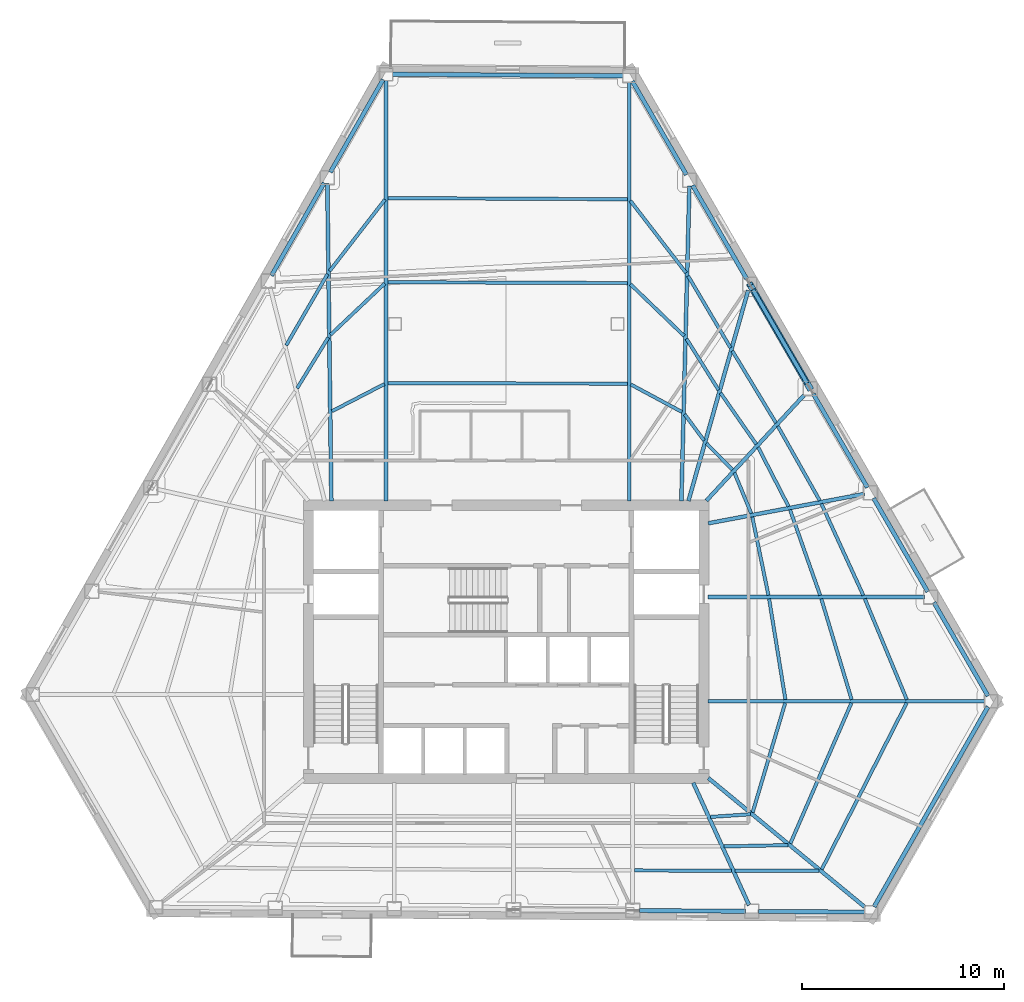
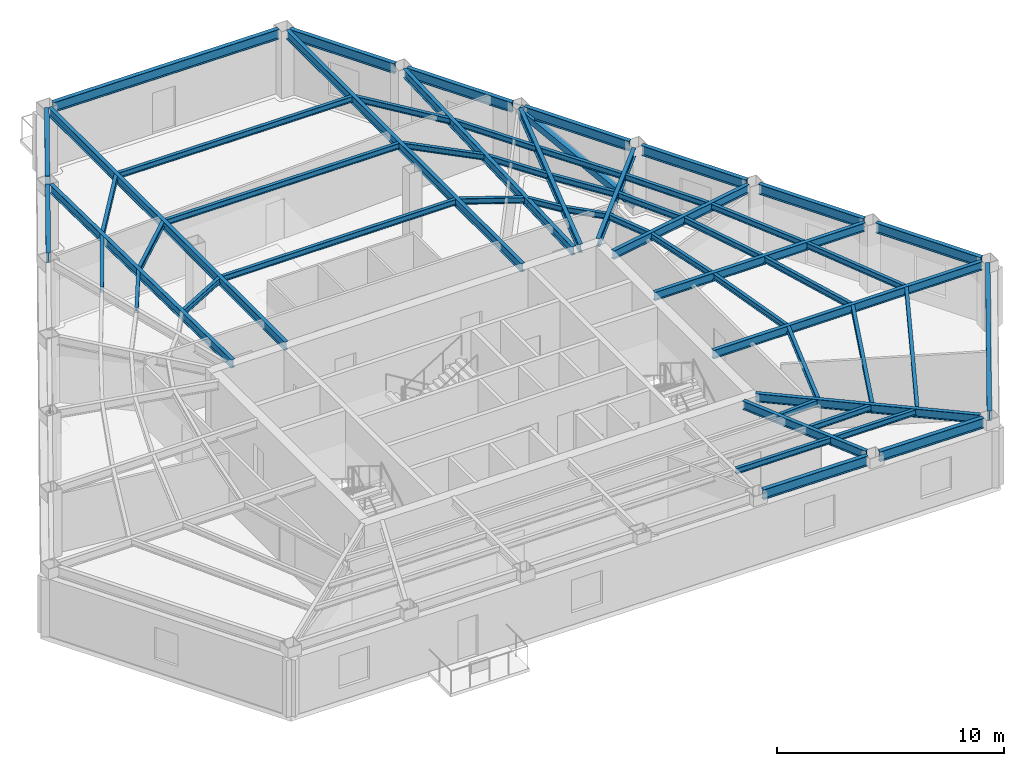
# One storey, part 2 of 9: 56 beams, 1 member.
"""IFC4 building model written with IfcOpenShell, lengths in metres."""

import ifcopenshell
import ifcopenshell.guid

model = None  # the IFC model being written
_history = None  # IfcOwnerHistory: only IFC2X3 demands one
_inside = {}  # id of a spatial element -> (the spatial element, [elements in it])
_under = {}  # id of a project, library or spatial element -> (it, [spatial elements below it])
_declared = {}  # id of a project -> (the project, [libraries it declares])
_typed = {}  # id of a type object -> (the type object, [elements of that type])
_made_of = {}  # id of a material, layer set ... -> (it, [elements and type objects made of it])


def new_model(schema):
    """Start an empty IFC model of exactly this schema.

    Asked for "IFC4X3", IfcOpenShell would pick the latest addendum, in which some entities
    have other attributes; the version numbers below select the first issue.
    IFC2X3 requires an IfcOwnerHistory on every rooted entity: one is made here for all.
    """
    global model, _history
    if schema == "IFC4X3":
        model = ifcopenshell.file(schema_version=(4, 3, 0, 0))
    else:
        model = ifcopenshell.file(schema=schema)
    _inside.clear()
    _under.clear()
    _declared.clear()
    _typed.clear()
    _made_of.clear()
    _history = None
    if model.schema == "IFC2X3":
        org = make("IfcOrganization", Name="unknown")
        user = make(
            "IfcPersonAndOrganization",
            ThePerson=make("IfcPerson", FamilyName="unknown"),
            TheOrganization=org,
        )
        app = make(
            "IfcApplication",
            ApplicationDeveloper=org,
            Version="unknown",
            ApplicationFullName="unknown",
            ApplicationIdentifier="unknown",
        )
        _history = make(
            "IfcOwnerHistory",
            OwningUser=user,
            OwningApplication=app,
            ChangeAction="ADDED",
            CreationDate=0,
        )
    return model


def make(cls, **values):
    """One entity of the class cls with the attributes given. An attribute that is None is left unset."""
    return model.create_entity(
        cls, **{name: value for name, value in values.items() if value is not None}
    )


def rooted(cls, **values):
    """An entity with a GlobalId (a new one), such as an element, a storey or a relation."""
    return make(cls, GlobalId=ifcopenshell.guid.new(), OwnerHistory=_history, **values)


def si_unit(unit_type, name, prefix=None):
    """IfcSIUnit, for example si_unit("LENGTHUNIT", "METRE", prefix="MILLI")."""
    return make("IfcSIUnit", UnitType=unit_type, Prefix=prefix, Name=name)


def assignment(units):
    """IfcUnitAssignment: the units of a project."""
    return None if units is None else make("IfcUnitAssignment", Units=units)


def point(xyz):
    """IfcCartesianPoint."""
    return None if xyz is None else make("IfcCartesianPoint", Coordinates=xyz)


def direction(xyz):
    """IfcDirection."""
    return None if xyz is None else make("IfcDirection", DirectionRatios=xyz)


def frame(location, z_axis=None, x_axis=None):
    """IfcAxis2Placement3D, a coordinate frame: its origin and axes. An axis left out is left unset."""
    return make(
        "IfcAxis2Placement3D",
        Location=point(location),
        Axis=direction(z_axis),
        RefDirection=direction(x_axis),
    )


def frame_2d(location, x_axis=None):
    """IfcAxis2Placement2D, a coordinate frame in the plane: its origin and x axis."""
    return make(
        "IfcAxis2Placement2D", Location=point(location), RefDirection=direction(x_axis)
    )


def origin():
    """The frame at (0, 0, 0) with its axes left unset."""
    return frame((0.0, 0.0, 0.0))


def origin_2d():
    """The frame at (0, 0) in the plane with its x axis left unset."""
    return frame_2d((0.0, 0.0))


def place(relative_to, where):
    """IfcLocalPlacement: puts the frame where relative to a parent placement (None: the world)."""
    return make(
        "IfcLocalPlacement", PlacementRelTo=relative_to, RelativePlacement=where
    )


def context(
    kind, dimensions, precision=None, world=None, true_north=None, identifier=None
):
    """IfcGeometricRepresentationContext, for example the 3D "Model" context."""
    return make(
        "IfcGeometricRepresentationContext",
        ContextIdentifier=identifier,
        ContextType=kind,
        CoordinateSpaceDimension=dimensions,
        Precision=precision,
        WorldCoordinateSystem=world,
        TrueNorth=true_north,
    )


def subcontext(parent, identifier, kind, view, scale=None):
    """IfcGeometricRepresentationSubContext, for example "Body" below "Model"."""
    return make(
        "IfcGeometricRepresentationSubContext",
        ContextIdentifier=identifier,
        ContextType=kind,
        ParentContext=parent,
        TargetScale=scale,
        TargetView=view,
    )


def project(units=None, contexts=None):
    """IfcProject with its units and contexts."""
    return rooted(
        "IfcProject",
        Name="project",
        RepresentationContexts=contexts,
        UnitsInContext=assignment(units),
    )


def spatial(cls, under=None, at=None, **own):
    """A site, building, storey or space (cls), placed at a placement, below another one or the project."""
    s = rooted(cls, ObjectPlacement=at, **own)
    if under is not None:
        _under.setdefault(under.id(), (under, []))[1].append(s)
    return s


def profile(cls, at=None, kind="AREA", **sizes):
    """A parametric profile (cls). Its sizes go by their IFC names, for example OverallWidth=200.0."""
    return make(cls, ProfileType=kind, Position=at, **sizes)


def hollow_rectangle(**sizes):
    """IfcRectangleHollowProfileDef."""
    return profile("IfcRectangleHollowProfileDef", **sizes)


def i_section(**sizes):
    """IfcIShapeProfileDef."""
    return profile("IfcIShapeProfileDef", **sizes)


def extrude(swept, where, along, depth):
    """IfcExtrudedAreaSolid: the profile swept, set in the frame where, extruded along a direction by depth."""
    return make(
        "IfcExtrudedAreaSolid",
        SweptArea=swept,
        Position=where,
        ExtrudedDirection=direction(along),
        Depth=depth,
    )


def shape(context_of_items, identifier, shape_type, items):
    """IfcShapeRepresentation: the items that make up one representation, for example the "Body"."""
    return make(
        "IfcShapeRepresentation",
        ContextOfItems=context_of_items,
        RepresentationIdentifier=identifier,
        RepresentationType=shape_type,
        Items=items,
    )


def material(Name=None, Category=None):
    """IfcMaterial."""
    return make("IfcMaterial", Name=Name, Category=Category)


def material_profile(
    of_material, cross_section, Name=None, Category=None, Priority=None
):
    """IfcMaterialProfile: a cross section and its material."""
    return make(
        "IfcMaterialProfile",
        Name=Name,
        Material=of_material,
        Profile=cross_section,
        Priority=Priority,
        Category=Category,
    )


def profile_set(profiles, Name=None, composite=None):
    """IfcMaterialProfileSet."""
    return make(
        "IfcMaterialProfileSet",
        Name=Name,
        MaterialProfiles=profiles,
        CompositeProfile=composite,
    )


def made_of(thing, what):
    """Note that an element or type object is made of a material, layer set ...; save() writes the relation."""
    if what is not None:
        _made_of.setdefault(what.id(), (what, []))[1].append(thing)
    return thing


def type_object(cls, material=None, **own):
    """A type object (cls), such as IfcWallType, which elements share."""
    return made_of(rooted(cls, **own), material)


def element(
    cls,
    number,
    at=None,
    inside=None,
    cuts=None,
    type_object=None,
    material=None,
    context=None,
    identifier="Body",
    shape_type=None,
    held_by="IfcProductDefinitionShape",
    body=None,
    shapes=None,
    **own,
):
    """One element of the class cls, such as IfcWall. Its Tag is "e" and its number.

    at: its placement. inside: the storey or other place that contains it. cuts: it is an
    opening in that element (IfcRelVoidsElement). A single representation is given by context,
    identifier, shape_type and body (its items); several are given by shapes. held_by: the class
    of the entity that holds the representations. save() writes the other relations.
    """
    e = rooted(cls, Tag="e%d" % number, ObjectPlacement=at, **own)
    if body is not None:
        shapes = [shape(context, identifier, shape_type, body)]
    if shapes is not None:
        e.Representation = make(held_by, Representations=shapes)
    if inside is not None:
        _inside.setdefault(inside.id(), (inside, []))[1].append(e)
    if cuts is not None:
        rooted(
            "IfcRelVoidsElement", RelatingBuildingElement=cuts, RelatedOpeningElement=e
        )
    if type_object is not None:
        _typed.setdefault(type_object.id(), (type_object, []))[1].append(e)
    return made_of(e, material)


def aggregate(whole, parts):
    """IfcRelAggregates: a whole, such as a stair, and the parts it consists of."""
    return rooted("IfcRelAggregates", RelatingObject=whole, RelatedObjects=parts)


def save(model, path):
    """Write the relations noted so far, then the file.

    IfcRelAggregates (storeys below a building ...), IfcRelContainedInSpatialStructure (elements
    in a storey), IfcRelDefinesByType, IfcRelAssociatesMaterial and IfcRelDeclares: one each for
    every whole, place, type object, material and project.
    """
    for whole, parts in _under.values():
        aggregate(whole, parts)
    for where, things in _inside.values():
        rooted(
            "IfcRelContainedInSpatialStructure",
            RelatedElements=things,
            RelatingStructure=where,
        )
    for kind, things in _typed.values():
        rooted("IfcRelDefinesByType", RelatedObjects=things, RelatingType=kind)
    for what, things in _made_of.values():
        rooted("IfcRelAssociatesMaterial", RelatedObjects=things, RelatingMaterial=what)
    for by, libraries in _declared.values():
        rooted("IfcRelDeclares", RelatingContext=by, RelatedDefinitions=libraries)
    model.write(path)


model = new_model("IFC4")

# Units and contexts
model_context = context("Model", 3, precision=1e-05, world=origin(), true_north=direction((0.0, 1.0)))
body_context = subcontext(model_context, "Body", "Model", "MODEL_VIEW")
ifc_project = project(units=[si_unit("LENGTHUNIT", "METRE"), si_unit("AREAUNIT", "SQUARE_METRE"), si_unit("VOLUMEUNIT", "CUBIC_METRE"), si_unit("PLANEANGLEUNIT", "RADIAN"), si_unit("MASSUNIT", "GRAM", prefix="KILO")], contexts=[model_context])

# Site, building, storey
site_placement = place(None, origin())
site = spatial("IfcSite", under=ifc_project, at=site_placement, CompositionType="ELEMENT")
building_placement = place(site_placement, origin())
building = spatial("IfcBuilding", under=site, at=building_placement, Name="Kavelnor Concourse Tower", CompositionType="ELEMENT")
storey_placement = place(building_placement, frame((0.0, 0.0, 112.449951171875)))
storey = spatial("IfcBuildingStorey", under=building, at=storey_placement, Name="L28", CompositionType="ELEMENT", Elevation=112.449951171875)

# Beams
ifc_material = material(Name="Steel Grade 350", Category="steel")
ifc_material_profile_1 = material_profile(ifc_material, i_section(OverallWidth=0.166015625, OverallDepth=0.306884765625, WebThickness=0.006591796875, FlangeThickness=0.01171875, at=origin_2d()), Name="310UB46")
ifc_profile_set_1 = profile_set([ifc_material_profile_1], Name="Steel Grade 350")
beam_type_1 = type_object("IfcBeamType", Name="BM-JOIST-310", PredefinedType="JOIST", material=ifc_profile_set_1)
beam_1_placement = place(storey_placement, frame((44.33837890625, 4.80859375, 3.446533203125), z_axis=(0.999984911688, -0.005493304703, 0.0), x_axis=(0.005493304703, 0.999984911688, 0.0)))
element("IfcBeam", 1, at=beam_1_placement, inside=storey, type_object=beam_type_1, Name="L28 Secondary Composite Joist 06-3", PredefinedType="JOIST", context=body_context, shape_type="SweptSolid", body=[
    extrude(i_section(OverallWidth=0.166015625, OverallDepth=0.306884765625, WebThickness=0.006591796875, FlangeThickness=0.01171875, at=origin_2d()), origin(), (0.0, 0.0, 1.0), 4.7998046875),
])
beam_2_placement = place(storey_placement, frame((48.1025390625, 7.448974609375, 3.446533203125), z_axis=(0.997740984488, 0.067178328887, 0.0), x_axis=(-0.067178328887, 0.997740984488, 0.0)))
element("IfcBeam", 2, at=beam_2_placement, inside=storey, type_object=beam_type_1, Name="L28 Secondary Composite Joist 07-1", PredefinedType="JOIST", context=body_context, shape_type="SweptSolid", body=[
    extrude(i_section(OverallWidth=0.166015625, OverallDepth=0.306884765625, WebThickness=0.006591796875, FlangeThickness=0.01171875, at=origin_2d()), origin(), (0.0, 0.0, 1.0), 1.966064453125),
])
beam_3_placement = place(storey_placement, frame((48.7646484375, 5.9931640625, 3.446533203125), z_axis=(0.999802158774, 0.019890784549, 0.0), x_axis=(-0.019890784549, 0.999802158774, 0.0)))
element("IfcBeam", 3, at=beam_3_placement, inside=storey, type_object=beam_type_1, Name="L28 Secondary Composite Joist 07-2", PredefinedType="JOIST", context=body_context, shape_type="SweptSolid", body=[
    extrude(i_section(OverallWidth=0.166015625, OverallDepth=0.306884765625, WebThickness=0.006591796875, FlangeThickness=0.01171875, at=origin_2d()), origin(), (0.0, 0.0, 1.0), 3.154541015625),
])
beam_4_placement = place(storey_placement, frame((49.316162109375, 4.78173828125, 3.446533203125), z_axis=(0.999999915125, 0.000412007028, 0.0), x_axis=(-0.000412007028, 0.999999915125, 0.0)))
element("IfcBeam", 4, at=beam_4_placement, inside=storey, type_object=beam_type_1, Name="L28 Secondary Composite Joist 07-3", PredefinedType="JOIST", context=body_context, shape_type="SweptSolid", body=[
    extrude(i_section(OverallWidth=0.166015625, OverallDepth=0.306884765625, WebThickness=0.006591796875, FlangeThickness=0.01171875, at=origin_2d()), origin(), (0.0, 0.0, 1.0), 4.14794921875),
])
beam_5_placement = place(storey_placement, frame((50.17822265625, 7.67236328125, 3.446533203125), z_axis=(0.284924038048, 0.95855009913, 0.0), x_axis=(-0.95855009913, 0.284924038048, 0.0)))
element("IfcBeam", 5, at=beam_5_placement, inside=storey, type_object=beam_type_1, Name="L28 Secondary Composite Joist 08-1", PredefinedType="JOIST", context=body_context, shape_type="SweptSolid", body=[
    extrude(i_section(OverallWidth=0.166015625, OverallDepth=0.306884765625, WebThickness=0.006591796875, FlangeThickness=0.01171875, at=origin_2d()), origin(), (0.0, 0.0, 1.0), 5.638916015625),
])
beam_6_placement = place(storey_placement, frame((52.04296875, 6.139404296875, 3.446533203125), z_axis=(0.398356878791, 0.91723050381, 0.0), x_axis=(-0.91723050381, 0.398356878791, 0.0)))
element("IfcBeam", 6, at=beam_6_placement, inside=storey, type_object=beam_type_1, Name="L28 Secondary Composite Joist 08-2", PredefinedType="JOIST", context=body_context, shape_type="SweptSolid", body=[
    extrude(i_section(OverallWidth=0.166015625, OverallDepth=0.306884765625, WebThickness=0.006591796875, FlangeThickness=0.01171875, at=origin_2d()), origin(), (0.0, 0.0, 1.0), 7.568359375),
])
beam_7_placement = place(storey_placement, frame((53.593505859375, 4.86279296875, 3.446533203125), z_axis=(0.454562862426, 0.890714659194, 0.0), x_axis=(-0.890714659194, 0.454562862426, 0.0)))
element("IfcBeam", 7, at=beam_7_placement, inside=storey, type_object=beam_type_1, Name="L28 Secondary Composite Joist 08-3", PredefinedType="JOIST", context=body_context, shape_type="SweptSolid", body=[
    extrude(i_section(OverallWidth=0.166015625, OverallDepth=0.306884765625, WebThickness=0.006591796875, FlangeThickness=0.01171875, at=origin_2d()), origin(), (0.0, 0.0, 1.0), 9.229248046875),
])
beam_8_placement = place(storey_placement, frame((51.7958984375, 13.250732421875, 3.446533203125), z_axis=(-0.15992698513, 0.987128846416, 0.0), x_axis=(-0.987128846416, -0.15992698513, 0.0)))
element("IfcBeam", 8, at=beam_8_placement, inside=storey, type_object=beam_type_1, Name="L28 Secondary Composite Joist 09-1", PredefinedType="JOIST", context=body_context, shape_type="SweptSolid", body=[
    extrude(i_section(OverallWidth=0.166015625, OverallDepth=0.306884765625, WebThickness=0.006591796875, FlangeThickness=0.01171875, at=origin_2d()), origin(), (0.0, 0.0, 1.0), 5.039306640625),
])
beam_9_placement = place(storey_placement, frame((55.067626953125, 13.248046875, 3.446533203125), z_axis=(-0.288118770439, 0.957594681544, 0.0), x_axis=(-0.957594681544, -0.288118770439, 0.0)))
element("IfcBeam", 9, at=beam_9_placement, inside=storey, type_object=beam_type_1, Name="L28 Secondary Composite Joist 09-2", PredefinedType="JOIST", context=body_context, shape_type="SweptSolid", body=[
    extrude(i_section(OverallWidth=0.166015625, OverallDepth=0.306884765625, WebThickness=0.006591796875, FlangeThickness=0.01171875, at=origin_2d()), origin(), (0.0, 0.0, 1.0), 5.2001953125),
])
beam_10_placement = place(storey_placement, frame((57.794921875, 13.2451171875, 3.446533203125), z_axis=(-0.384547979238, 0.923105005763, 0.0), x_axis=(-0.923105005763, -0.384547979238, 0.0)))
element("IfcBeam", 10, at=beam_10_placement, inside=storey, type_object=beam_type_1, Name="L28 Secondary Composite Joist 09-3", PredefinedType="JOIST", context=body_context, shape_type="SweptSolid", body=[
    extrude(i_section(OverallWidth=0.166015625, OverallDepth=0.306884765625, WebThickness=0.006591796875, FlangeThickness=0.01171875, at=origin_2d()), origin(), (0.0, 0.0, 1.0), 5.40087890625),
])
beam_11_placement = place(storey_placement, frame((50.9580078125, 18.400146484375, 3.446533203125), z_axis=(-0.201750436475, 0.979436961413, 0.0), x_axis=(-0.979436961413, -0.201750436475, 0.0)))
element("IfcBeam", 11, at=beam_11_placement, inside=storey, type_object=beam_type_1, Name="L28 Secondary Composite Joist 10-1", PredefinedType="JOIST", context=body_context, shape_type="SweptSolid", body=[
    extrude(i_section(OverallWidth=0.166015625, OverallDepth=0.306884765625, WebThickness=0.006591796875, FlangeThickness=0.01171875, at=origin_2d()), origin(), (0.0, 0.0, 1.0), 3.955810546875),
])
beam_12_placement = place(storey_placement, frame((53.51416015625, 18.396728515625, 3.446533203125), z_axis=(-0.332367290967, 0.943150032548, 0.0), x_axis=(-0.943150032548, -0.332367290967, 0.0)))
element("IfcBeam", 12, at=beam_12_placement, inside=storey, type_object=beam_type_1, Name="L28 Secondary Composite Joist 10-2", PredefinedType="JOIST", context=body_context, shape_type="SweptSolid", body=[
    extrude(i_section(OverallWidth=0.166015625, OverallDepth=0.306884765625, WebThickness=0.006591796875, FlangeThickness=0.01171875, at=origin_2d()), origin(), (0.0, 0.0, 1.0), 4.484375),
])
beam_13_placement = place(storey_placement, frame((55.646728515625, 18.393798828125, 3.446533203125), z_axis=(-0.416262811693, 0.909244340978, 0.0), x_axis=(-0.909244340978, -0.416262811693, 0.0)))
element("IfcBeam", 13, at=beam_13_placement, inside=storey, type_object=beam_type_1, Name="L28 Secondary Composite Joist 10-3", PredefinedType="JOIST", context=body_context, shape_type="SweptSolid", body=[
    extrude(i_section(OverallWidth=0.166015625, OverallDepth=0.306884765625, WebThickness=0.006591796875, FlangeThickness=0.01171875, at=origin_2d()), origin(), (0.0, 0.0, 1.0), 4.97705078125),
])
beam_14_placement = place(storey_placement, frame((50.10791015625, 22.444091796875, 3.446533203125), z_axis=(-0.381382523062, 0.924417314368, 0.0), x_axis=(-0.924417314368, -0.381382523062, 0.0)))
element("IfcBeam", 14, at=beam_14_placement, inside=storey, type_object=beam_type_1, Name="L28 Secondary Composite Joist 11-1", PredefinedType="JOIST", context=body_context, shape_type="SweptSolid", body=[
    extrude(i_section(OverallWidth=0.166015625, OverallDepth=0.306884765625, WebThickness=0.006591796875, FlangeThickness=0.01171875, at=origin_2d()), origin(), (0.0, 0.0, 1.0), 2.17333984375),
])
beam_15_placement = place(storey_placement, frame((51.95361328125, 22.7890625, 3.446533203125), z_axis=(-0.457874785389, 0.889016693266, 0.0), x_axis=(-0.889016693266, -0.457874785389, 0.0)))
element("IfcBeam", 15, at=beam_15_placement, inside=storey, type_object=beam_type_1, Name="L28 Secondary Composite Joist 11-2", PredefinedType="JOIST", context=body_context, shape_type="SweptSolid", body=[
    extrude(i_section(OverallWidth=0.166015625, OverallDepth=0.306884765625, WebThickness=0.006591796875, FlangeThickness=0.01171875, at=origin_2d()), origin(), (0.0, 0.0, 1.0), 3.287841796875),
])
beam_16_placement = place(storey_placement, frame((53.494140625, 23.07763671875, 3.446533203125), z_axis=(-0.490804206002, 0.871269895825, 0.0), x_axis=(-0.871269895825, -0.490804206002, 0.0)))
element("IfcBeam", 16, at=beam_16_placement, inside=storey, type_object=beam_type_1, Name="L28 Secondary Composite Joist 11-3", PredefinedType="JOIST", context=body_context, shape_type="SweptSolid", body=[
    extrude(i_section(OverallWidth=0.166015625, OverallDepth=0.306884765625, WebThickness=0.006591796875, FlangeThickness=0.01171875, at=origin_2d()), origin(), (0.0, 0.0, 1.0), 4.22607421875),
])
beam_17_placement = place(storey_placement, frame((49.1826171875, 24.598876953125, 3.446533203125), z_axis=(-0.700971129749, 0.713189648873, 0.0), x_axis=(-0.713189648873, -0.700971129749, 0.0)))
element("IfcBeam", 17, at=beam_17_placement, inside=storey, type_object=beam_type_1, Name="L28 Secondary Composite Joist 12-1", PredefinedType="JOIST", context=body_context, shape_type="SweptSolid", body=[
    extrude(i_section(OverallWidth=0.166015625, OverallDepth=0.306884765625, WebThickness=0.006591796875, FlangeThickness=0.01171875, at=origin_2d()), origin(), (0.0, 0.0, 1.0), 1.83837890625),
])
beam_18_placement = place(storey_placement, frame((50.3564453125, 25.864013671875, 3.446533203125), z_axis=(-0.572113564111, 0.820174414231, 0.0), x_axis=(-0.820174414231, -0.572113564111, 0.0)))
element("IfcBeam", 18, at=beam_18_placement, inside=storey, type_object=beam_type_1, Name="L28 Secondary Composite Joist 12-2", PredefinedType="JOIST", context=body_context, shape_type="SweptSolid", body=[
    extrude(i_section(OverallWidth=0.166015625, OverallDepth=0.306884765625, WebThickness=0.006591796875, FlangeThickness=0.01171875, at=origin_2d()), origin(), (0.0, 0.0, 1.0), 3.08740234375),
])
beam_19_placement = place(storey_placement, frame((51.330078125, 26.91357421875, 3.446533203125), z_axis=(-0.517899858467, 0.855441252571, 0.0), x_axis=(-0.855441252571, -0.517899858467, 0.0)))
element("IfcBeam", 19, at=beam_19_placement, inside=storey, type_object=beam_type_1, Name="L28 Secondary Composite Joist 12-3", PredefinedType="JOIST", context=body_context, shape_type="SweptSolid", body=[
    extrude(i_section(OverallWidth=0.166015625, OverallDepth=0.306884765625, WebThickness=0.006591796875, FlangeThickness=0.01171875, at=origin_2d()), origin(), (0.0, 0.0, 1.0), 4.1611328125),
])
beam_20_placement = place(storey_placement, frame((47.77880859375, 26.044921875, 3.446533203125), z_axis=(-0.594420822775, 0.804154142843, 0.0), x_axis=(-0.804154142843, -0.594420822775, 0.0)))
element("IfcBeam", 20, at=beam_20_placement, inside=storey, type_object=beam_type_1, Name="L28 Secondary Composite Joist 13-1", PredefinedType="JOIST", context=body_context, shape_type="SweptSolid", body=[
    extrude(i_section(OverallWidth=0.166015625, OverallDepth=0.306884765625, WebThickness=0.006591796875, FlangeThickness=0.01171875, at=origin_2d()), origin(), (0.0, 0.0, 1.0), 1.614501953125),
])
beam_21_placement = place(storey_placement, frame((48.491943359375, 28.544921875, 3.446533203125), z_axis=(-0.53091850118, 0.847422884459, 0.0), x_axis=(-0.847422884459, -0.53091850118, 0.0)))
element("IfcBeam", 21, at=beam_21_placement, inside=storey, type_object=beam_type_1, Name="L28 Secondary Composite Joist 13-2", PredefinedType="JOIST", context=body_context, shape_type="SweptSolid", body=[
    extrude(i_section(OverallWidth=0.166015625, OverallDepth=0.306884765625, WebThickness=0.006591796875, FlangeThickness=0.01171875, at=origin_2d()), origin(), (0.0, 0.0, 1.0), 2.982177734375),
])
beam_22_placement = place(storey_placement, frame((49.083740234375, 30.6259765625, 3.446533203125), z_axis=(-0.508123415062, 0.861284270764, 0.0), x_axis=(-0.861284270764, -0.508123415062, 0.0)))
element("IfcBeam", 22, at=beam_22_placement, inside=storey, type_object=beam_type_1, Name="L28 Secondary Composite Joist 13-3", PredefinedType="JOIST", context=body_context, shape_type="SweptSolid", body=[
    extrude(i_section(OverallWidth=0.166015625, OverallDepth=0.306884765625, WebThickness=0.006591796875, FlangeThickness=0.01171875, at=origin_2d()), origin(), (0.0, 0.0, 1.0), 4.127685546875),
])
beam_23_placement = place(storey_placement, frame((46.687744140625, 27.456787109375, 3.446533203125), z_axis=(-0.881035785222, 0.4730496223, 0.0), x_axis=(-0.4730496223, -0.881035785222, 0.0)))
element("IfcBeam", 23, at=beam_23_placement, inside=storey, type_object=beam_type_1, Name="L28 Secondary Composite Joist 14-1", PredefinedType="JOIST", context=body_context, shape_type="SweptSolid", body=[
    extrude(i_section(OverallWidth=0.166015625, OverallDepth=0.306884765625, WebThickness=0.006591796875, FlangeThickness=0.01171875, at=origin_2d()), origin(), (0.0, 0.0, 1.0), 2.87060546875),
])
beam_24_placement = place(storey_placement, frame((46.79736328125, 31.208984375, 3.446533203125), z_axis=(-0.720337386475, 0.693623853141, 0.0), x_axis=(-0.693623853141, -0.720337386475, 0.0)))
element("IfcBeam", 24, at=beam_24_placement, inside=storey, type_object=beam_type_1, Name="L28 Secondary Composite Joist 14-2", PredefinedType="JOIST", context=body_context, shape_type="SweptSolid", body=[
    extrude(i_section(OverallWidth=0.166015625, OverallDepth=0.306884765625, WebThickness=0.006591796875, FlangeThickness=0.01171875, at=origin_2d()), origin(), (0.0, 0.0, 1.0), 3.68310546875),
])
beam_25_placement = place(storey_placement, frame((46.88671875, 34.328369140625, 3.446533203125), z_axis=(-0.610859748222, 0.791738825625, 0.0), x_axis=(-0.791738825625, -0.610859748222, 0.0)))
element("IfcBeam", 25, at=beam_25_placement, inside=storey, type_object=beam_type_1, Name="L28 Secondary Composite Joist 14-3", PredefinedType="JOIST", context=body_context, shape_type="SweptSolid", body=[
    extrude(i_section(OverallWidth=0.166015625, OverallDepth=0.306884765625, WebThickness=0.006591796875, FlangeThickness=0.01171875, at=origin_2d()), origin(), (0.0, 0.0, 1.0), 4.50537109375),
])
for number, where, z_axis, x_axis, name in (
    (26, (43.9912109375, 28.85693359375, 3.446533203125), (-0.999998159276, 0.001918709074, 0.0), (-0.001918709074, -0.999998159276, 0.0), "L28 Secondary Composite Joist 15-1"),
    (27, (43.9912109375, 33.82568359375, 3.446533203125), (-0.999993630402, 0.003569195339, 0.0), (-0.003569195339, -0.999993630402, 0.0), "L28 Secondary Composite Joist 15-2"),
):
    element("IfcBeam", number, at=place(storey_placement, frame(where, z_axis=z_axis, x_axis=x_axis)), inside=storey, type_object=beam_type_1, Name=name, PredefinedType="JOIST", context=body_context, shape_type="SweptSolid", body=[
        extrude(i_section(OverallWidth=0.166015625, OverallDepth=0.306884765625, WebThickness=0.006591796875, FlangeThickness=0.01171875, at=origin_2d()), origin(), (0.0, 0.0, 1.0), 11.83349609375),
    ])
beam_26_placement = place(storey_placement, frame((43.9912109375, 37.96630859375, 3.446533203125), z_axis=(-0.999987843408, 0.004930825141, 0.0), x_axis=(-0.004930825141, -0.999987843408, 0.0)))
element("IfcBeam", 28, at=beam_26_placement, inside=storey, type_object=beam_type_1, Name="L28 Secondary Composite Joist 15-3", PredefinedType="JOIST", context=body_context, shape_type="SweptSolid", body=[
    extrude(i_section(OverallWidth=0.166015625, OverallDepth=0.306884765625, WebThickness=0.006591796875, FlangeThickness=0.01171875, at=origin_2d()), origin(), (0.0, 0.0, 1.0), 11.833740234375),
])
beam_27_placement = place(storey_placement, frame((31.98974609375, 28.8388671875, 3.446533203125), z_axis=(-0.887992587842, -0.459857764899, 0.0), x_axis=(0.459857764899, -0.887992587842, 0.0)))
element("IfcBeam", 29, at=beam_27_placement, inside=storey, type_object=beam_type_1, Name="L28 Secondary Composite Joist 16-1", PredefinedType="JOIST", context=body_context, shape_type="SweptSolid", body=[
    extrude(i_section(OverallWidth=0.166015625, OverallDepth=0.306884765625, WebThickness=0.006591796875, FlangeThickness=0.01171875, at=origin_2d()), origin(), (0.0, 0.0, 1.0), 2.93212890625),
])
beam_28_placement = place(storey_placement, frame((32.00390625, 33.806884765625, 3.446533203125), z_axis=(-0.726686307731, -0.686969439026, 0.0), x_axis=(0.686969439026, -0.726686307731, 0.0)))
element("IfcBeam", 30, at=beam_28_placement, inside=storey, type_object=beam_type_1, Name="L28 Secondary Composite Joist 16-2", PredefinedType="JOIST", context=body_context, shape_type="SweptSolid", body=[
    extrude(i_section(OverallWidth=0.166015625, OverallDepth=0.306884765625, WebThickness=0.006591796875, FlangeThickness=0.01171875, at=origin_2d()), origin(), (0.0, 0.0, 1.0), 3.688232421875),
])
beam_29_placement = place(storey_placement, frame((32.01416015625, 37.95458984375, 3.446533203125), z_axis=(-0.612488994722, -0.790479115059, 0.0), x_axis=(0.790479115059, -0.612488994722, 0.0)))
element("IfcBeam", 31, at=beam_29_placement, inside=storey, type_object=beam_type_1, Name="L28 Secondary Composite Joist 16-3", PredefinedType="JOIST", context=body_context, shape_type="SweptSolid", body=[
    extrude(i_section(OverallWidth=0.166015625, OverallDepth=0.306884765625, WebThickness=0.006591796875, FlangeThickness=0.01171875, at=origin_2d()), origin(), (0.0, 0.0, 1.0), 4.474365234375),
])
beam_30_placement = place(storey_placement, frame((29.21240234375, 31.13623046875, 3.446533203125), z_axis=(-0.523842607496, -0.851815075337, 0.0), x_axis=(0.851815075337, -0.523842607496, 0.0)))
element("IfcBeam", 32, at=beam_30_placement, inside=storey, type_object=beam_type_1, Name="L28 Secondary Composite Joist 17-2", PredefinedType="JOIST", context=body_context, shape_type="SweptSolid", body=[
    extrude(i_section(OverallWidth=0.166015625, OverallDepth=0.306884765625, WebThickness=0.006591796875, FlangeThickness=0.01171875, at=origin_2d()), origin(), (0.0, 0.0, 1.0), 2.9404296875),
])
beam_31_placement = place(storey_placement, frame((29.174560546875, 34.2705078125, 3.446533203125), z_axis=(-0.501928799365, -0.864908943397, 0.0), x_axis=(0.864908943397, -0.501928799365, 0.0)))
element("IfcBeam", 33, at=beam_31_placement, inside=storey, type_object=beam_type_1, Name="L28 Secondary Composite Joist 17-3", PredefinedType="JOIST", context=body_context, shape_type="SweptSolid", body=[
    extrude(i_section(OverallWidth=0.166015625, OverallDepth=0.306884765625, WebThickness=0.006591796875, FlangeThickness=0.01171875, at=origin_2d()), origin(), (0.0, 0.0, 1.0), 4.07470703125),
])
ifc_material_profile_2 = material_profile(ifc_material, i_section(OverallWidth=0.18994140625, OverallDepth=0.4541015625, WebThickness=0.008544921875, FlangeThickness=0.0126953125, at=origin_2d()), Name="460UB67")
ifc_profile_set_2 = profile_set([ifc_material_profile_2], Name="Steel Grade 350")
beam_type_2 = type_object("IfcBeamType", Name="BM-PRIMARY-460", PredefinedType="BEAM", material=ifc_profile_set_2)
beam_32_placement = place(storey_placement, frame((32.068603515625, 23.06005859375, 3.373046875), z_axis=(0.0, 1.0, 0.0), x_axis=(-1.0, 0.0, 0.0)))
element("IfcBeam", 34, at=beam_32_placement, inside=storey, type_object=beam_type_2, Name="L28 Primary Floor Girder F0-B0", PredefinedType="BEAM", context=body_context, shape_type="SweptSolid", body=[
    extrude(i_section(OverallWidth=0.18994140625, OverallDepth=0.4541015625, WebThickness=0.008544921875, FlangeThickness=0.0126953125, at=origin_2d()), origin(), (0.0, 0.0, 1.0), 20.78466796875),
])
beam_33_placement = place(storey_placement, frame((29.36279296875, 23.06005859375, 3.373046875), z_axis=(-0.012722250624, 0.999919068895, 0.0), x_axis=(-0.999919068895, -0.012722250624, 0.0)))
element("IfcBeam", 35, at=beam_33_placement, inside=storey, type_object=beam_type_2, Name="L28 Primary Floor Girder F0-B1", PredefinedType="BEAM", context=body_context, shape_type="SweptSolid", body=[
    extrude(i_section(OverallWidth=0.18994140625, OverallDepth=0.4541015625, WebThickness=0.008544921875, FlangeThickness=0.0126953125, at=origin_2d()), origin(), (0.0, 0.0, 1.0), 15.67822265625),
])
beam_34_placement = place(storey_placement, frame((47.24169921875, 9.136474609375, 3.373046875), z_axis=(0.414854224978, -0.909887889807, 0.0), x_axis=(0.909887889807, 0.414854224978, 0.0)))
element("IfcBeam", 36, at=beam_34_placement, inside=storey, type_object=beam_type_2, Name="L28 Primary Floor Girder F1-B5", PredefinedType="BEAM", context=body_context, shape_type="SweptSolid", body=[
    extrude(i_section(OverallWidth=0.18994140625, OverallDepth=0.4541015625, WebThickness=0.008544921875, FlangeThickness=0.0126953125, at=origin_2d()), origin(), (0.0, 0.0, 1.0), 6.64697265625),
])
beam_35_placement = place(storey_placement, frame((47.989013671875, 9.37109375, 3.373046875), z_axis=(0.771549441434, -0.636169363788, 0.0), x_axis=(0.636169363788, 0.771549441434, 0.0)))
element("IfcBeam", 37, at=beam_35_placement, inside=storey, type_object=beam_type_2, Name="L28 Primary Floor Girder F1-B6", PredefinedType="BEAM", context=body_context, shape_type="SweptSolid", body=[
    extrude(i_section(OverallWidth=0.18994140625, OverallDepth=0.4541015625, WebThickness=0.008544921875, FlangeThickness=0.0126953125, at=origin_2d()), origin(), (0.0, 0.0, 1.0), 10.015869140625),
])
beam_36_placement = place(storey_placement, frame((47.97998046875, 13.162841796875, 3.373046875), z_axis=(1.0, 0.0, 0.0), x_axis=(0.0, 1.0, 0.0)))
element("IfcBeam", 38, at=beam_36_placement, inside=storey, type_object=beam_type_2, Name="L28 Primary Floor Girder F2-B0", PredefinedType="BEAM", context=body_context, shape_type="SweptSolid", body=[
    extrude(i_section(OverallWidth=0.18994140625, OverallDepth=0.4541015625, WebThickness=0.008544921875, FlangeThickness=0.0126953125, at=origin_2d()), origin(), (0.0, 0.0, 1.0), 13.679443359375),
])
beam_37_placement = place(storey_placement, frame((47.97998046875, 18.31298828125, 3.373046875), z_axis=(1.0, 0.0, 0.0), x_axis=(0.0, 1.0, 0.0)))
element("IfcBeam", 39, at=beam_37_placement, inside=storey, type_object=beam_type_2, Name="L28 Primary Floor Girder F2-B1", PredefinedType="BEAM", context=body_context, shape_type="SweptSolid", body=[
    extrude(i_section(OverallWidth=0.18994140625, OverallDepth=0.4541015625, WebThickness=0.008544921875, FlangeThickness=0.0126953125, at=origin_2d()), origin(), (0.0, 0.0, 1.0), 10.69970703125),
])
beam_38_placement = place(storey_placement, frame((47.980712890625, 21.955810546875, 3.373046875), z_axis=(0.982796791253, 0.18469019222, 0.0), x_axis=(-0.18469019222, 0.982796791253, 0.0)))
element("IfcBeam", 40, at=beam_38_placement, inside=storey, type_object=beam_type_2, Name="L28 Primary Floor Girder F2-B2", PredefinedType="BEAM", context=body_context, shape_type="SweptSolid", body=[
    extrude(i_section(OverallWidth=0.18994140625, OverallDepth=0.4541015625, WebThickness=0.008544921875, FlangeThickness=0.0126953125, at=origin_2d()), origin(), (0.0, 0.0, 1.0), 7.853271484375),
])
beam_39_placement = place(storey_placement, frame((47.888916015625, 23.070556640625, 3.373046875), z_axis=(0.679340425008, 0.733823266836, 0.0), x_axis=(-0.733823266836, 0.679340425008, 0.0)))
element("IfcBeam", 41, at=beam_39_placement, inside=storey, type_object=beam_type_2, Name="L28 Primary Floor Girder F2-B3", PredefinedType="BEAM", context=body_context, shape_type="SweptSolid", body=[
    extrude(i_section(OverallWidth=0.18994140625, OverallDepth=0.4541015625, WebThickness=0.008544921875, FlangeThickness=0.0126953125, at=origin_2d()), origin(), (0.0, 0.0, 1.0), 7.12939453125),
])
beam_40_placement = place(storey_placement, frame((47.006103515625, 23.0615234375, 3.373046875), z_axis=(0.27276669037, 0.962080211118, 0.0), x_axis=(-0.962080211118, 0.27276669037, 0.0)))
element("IfcBeam", 42, at=beam_40_placement, inside=storey, type_object=beam_type_2, Name="L28 Primary Floor Girder F2-B4", PredefinedType="BEAM", context=body_context, shape_type="SweptSolid", body=[
    extrude(i_section(OverallWidth=0.18994140625, OverallDepth=0.4541015625, WebThickness=0.008544921875, FlangeThickness=0.0126953125, at=origin_2d()), origin(), (0.0, 0.0, 1.0), 10.8095703125),
])
beam_41_placement = place(storey_placement, frame((46.65478515625, 23.06005859375, 3.373046875), z_axis=(0.025563437294, 0.999673201938, 0.0), x_axis=(-0.999673201938, 0.025563437294, 0.0)))
element("IfcBeam", 43, at=beam_41_placement, inside=storey, type_object=beam_type_2, Name="L28 Primary Floor Girder F2-B5", PredefinedType="BEAM", context=body_context, shape_type="SweptSolid", body=[
    extrude(i_section(OverallWidth=0.18994140625, OverallDepth=0.4541015625, WebThickness=0.008544921875, FlangeThickness=0.0126953125, at=origin_2d()), origin(), (0.0, 0.0, 1.0), 15.5576171875),
])
beam_42_placement = place(storey_placement, frame((44.080078125, 23.06005859375, 3.373046875), z_axis=(0.0, 1.0, 0.0), x_axis=(-1.0, 0.0, 0.0)))
element("IfcBeam", 44, at=beam_42_placement, inside=storey, type_object=beam_type_2, Name="L28 Primary Floor Girder F2-B6", PredefinedType="BEAM", context=body_context, shape_type="SweptSolid", body=[
    extrude(i_section(OverallWidth=0.18994140625, OverallDepth=0.4541015625, WebThickness=0.008544921875, FlangeThickness=0.0126953125, at=origin_2d()), origin(), (0.0, 0.0, 1.0), 20.70263671875),
])
ifc_material_profile_3 = material_profile(ifc_material, i_section(OverallWidth=0.208984375, OverallDepth=0.532958984375, WebThickness=0.01025390625, FlangeThickness=0.015625, at=origin_2d()), Name="530UB92")
ifc_profile_set_3 = profile_set([ifc_material_profile_3], Name="Steel Grade 350")
beam_type_3 = type_object("IfcBeamType", Name="BM-SPANDREL-Z2", PredefinedType="SPANDREL", material=ifc_profile_set_3)
for number, where, z_axis, x_axis, name in (
    (45, (31.917724609375, 43.8798828125, 3.33349609375), (-0.494885763236, -0.86895804349, 0.0), (0.86895804349, -0.494885763236, 0.0), "L28 Perimeter Tube Spandrel Beam F0-B0"),
    (46, (29.0087890625, 38.77197265625, 3.33349609375), (-0.494885763236, -0.86895804349, 0.0), (0.86895804349, -0.494885763236, 0.0), "L28 Perimeter Tube Spandrel Beam F0-B1"),
):
    element("IfcBeam", number, at=place(storey_placement, frame(where, z_axis=z_axis, x_axis=x_axis)), inside=storey, type_object=beam_type_3, Name=name, PredefinedType="SPANDREL", context=body_context, shape_type="SweptSolid", body=[
        extrude(i_section(OverallWidth=0.208984375, OverallDepth=0.532958984375, WebThickness=0.01025390625, FlangeThickness=0.015625, at=origin_2d()), origin(), (0.0, 0.0, 1.0), 5.268310546875),
    ])
beam_43_placement = place(storey_placement, frame((43.775146484375, 44.064697265625, 3.33349609375), z_axis=(-0.999976670662, 0.006830675759, 0.0), x_axis=(-0.006830675759, -0.999976670662, 0.0)))
element("IfcBeam", 47, at=beam_43_placement, inside=storey, type_object=beam_type_3, Name="L28 Chamfer Facet Spandrel Beam C0", PredefinedType="SPANDREL", context=body_context, shape_type="SweptSolid", body=[
    extrude(i_section(OverallWidth=0.208984375, OverallDepth=0.532958984375, WebThickness=0.01025390625, FlangeThickness=0.015625, at=origin_2d()), origin(), (0.0, 0.0, 1.0), 11.401611328125),
])
beam_44_placement = place(storey_placement, frame((44.554443359375, 2.82275390625, 3.33349609375), z_axis=(0.999976885834, -0.006799102785, 0.0), x_axis=(0.006799102785, 0.999976885834, 0.0)))
element("IfcBeam", 48, at=beam_44_placement, inside=storey, type_object=beam_type_3, Name="L28 Perimeter Tube Spandrel Beam F1-B4", PredefinedType="SPANDREL", context=body_context, shape_type="SweptSolid", body=[
    extrude(i_section(OverallWidth=0.208984375, OverallDepth=0.532958984375, WebThickness=0.01025390625, FlangeThickness=0.015625, at=origin_2d()), origin(), (0.0, 0.0, 1.0), 5.2783203125),
])
beam_45_placement = place(storey_placement, frame((50.442626953125, 2.78271484375, 3.33349609375), z_axis=(0.999976570297, -0.006845353025, 0.0), x_axis=(0.006845353025, 0.999976570297, 0.0)))
element("IfcBeam", 49, at=beam_45_placement, inside=storey, type_object=beam_type_3, Name="L28 Perimeter Tube Spandrel Beam F1-B5", PredefinedType="SPANDREL", context=body_context, shape_type="SweptSolid", body=[
    extrude(i_section(OverallWidth=0.208984375, OverallDepth=0.532958984375, WebThickness=0.01025390625, FlangeThickness=0.015625, at=origin_2d()), origin(), (0.0, 0.0, 1.0), 5.278564453125),
])
for number, where, z_axis, x_axis, name in (
    (50, (61.806640625, 13.427001953125, 3.33349609375), (-0.500828993483, 0.865546254851, 0.0), (-0.865546254851, -0.500828993483, 0.0), "L28 Perimeter Tube Spandrel Beam F2-B0"),
    (51, (58.826904296875, 18.576904296875, 3.33349609375), (-0.500828993483, 0.865546254851, 0.0), (-0.865546254851, -0.500828993483, 0.0), "L28 Perimeter Tube Spandrel Beam F2-B1"),
):
    element("IfcBeam", number, at=place(storey_placement, frame(where, z_axis=z_axis, x_axis=x_axis)), inside=storey, type_object=beam_type_3, Name=name, PredefinedType="SPANDREL", context=body_context, shape_type="SweptSolid", body=[
        extrude(i_section(OverallWidth=0.208984375, OverallDepth=0.532958984375, WebThickness=0.01025390625, FlangeThickness=0.015625, at=origin_2d()), origin(), (0.0, 0.0, 1.0), 5.33984375),
    ])
for number, where, z_axis, x_axis, name in (
    (52, (55.846923828125, 23.726806640625, 3.33349609375), (-0.500809174464, 0.86555772238, 0.0), (-0.86555772238, -0.500809174464, 0.0), "L28 Perimeter Tube Spandrel Beam F2-B2"),
    (53, (52.8671875, 28.876708984375, 3.33349609375), (-0.500843425735, 0.86553790379, 0.0), (-0.86553790379, -0.500843425735, 0.0), "L28 Perimeter Tube Spandrel Beam F2-B3"),
    (54, (49.88720703125, 34.026611328125, 3.33349609375), (-0.500809174464, 0.86555772238, 0.0), (-0.86555772238, -0.500809174464, 0.0), "L28 Perimeter Tube Spandrel Beam F2-B4"),
    (55, (46.9072265625, 39.176513671875, 3.33349609375), (-0.500809174464, 0.86555772238, 0.0), (-0.86555772238, -0.500809174464, 0.0), "L28 Perimeter Tube Spandrel Beam F2-B5"),
):
    element("IfcBeam", number, at=place(storey_placement, frame(where, z_axis=z_axis, x_axis=x_axis)), inside=storey, type_object=beam_type_3, Name=name, PredefinedType="SPANDREL", context=body_context, shape_type="SweptSolid", body=[
        extrude(i_section(OverallWidth=0.208984375, OverallDepth=0.532958984375, WebThickness=0.01025390625, FlangeThickness=0.015625, at=origin_2d()), origin(), (0.0, 0.0, 1.0), 5.340087890625),
    ])
beam_46_placement = place(storey_placement, frame((56.1767578125, 3.009521484375, 3.33349609375), z_axis=(0.494900044867, 0.868949909713, 0.0), x_axis=(-0.868949909713, 0.494900044867, 0.0)))
element("IfcBeam", 56, at=beam_46_placement, inside=storey, type_object=beam_type_3, Name="L28 Chamfer Facet Spandrel Beam C2", PredefinedType="SPANDREL", context=body_context, shape_type="SweptSolid", body=[
    extrude(i_section(OverallWidth=0.208984375, OverallDepth=0.532958984375, WebThickness=0.01025390625, FlangeThickness=0.015625, at=origin_2d()), origin(), (0.0, 0.0, 1.0), 11.379638671875),
])

# Member
ifc_material_profile_4 = material_profile(ifc_material, hollow_rectangle(XDim=0.320068359375, YDim=0.320068359375, WallThickness=0.01806640625, at=origin_2d()), Name="SHS 320x320x18")
ifc_profile_set_4 = profile_set([ifc_material_profile_4], Name="Steel Grade 350")
member_type = type_object("IfcMemberType", Name="MBR-TUBE-DIAG-Z2", PredefinedType="BRACE", material=ifc_profile_set_4)
member_placement = place(storey_placement, frame((53.019775390625, 28.61279296875, 0.219970703125), z_axis=(-0.443727870017, 0.76689845884, 0.463651087778), x_axis=(-0.865556422075, -0.500811421799, 0.0)))
element("IfcMember", 57, at=member_placement, inside=storey, type_object=member_type, Name="L28 Framed-Tube Bracing Diagonal F2-B3", PredefinedType="BRACE", context=body_context, shape_type="SweptSolid", body=[
    extrude(hollow_rectangle(XDim=0.320068359375, YDim=0.320068359375, WallThickness=0.01806640625, at=origin_2d()), origin(), (0.0, 0.0, 1.0), 6.71533203125),
])

save(model, "model.ifc")
